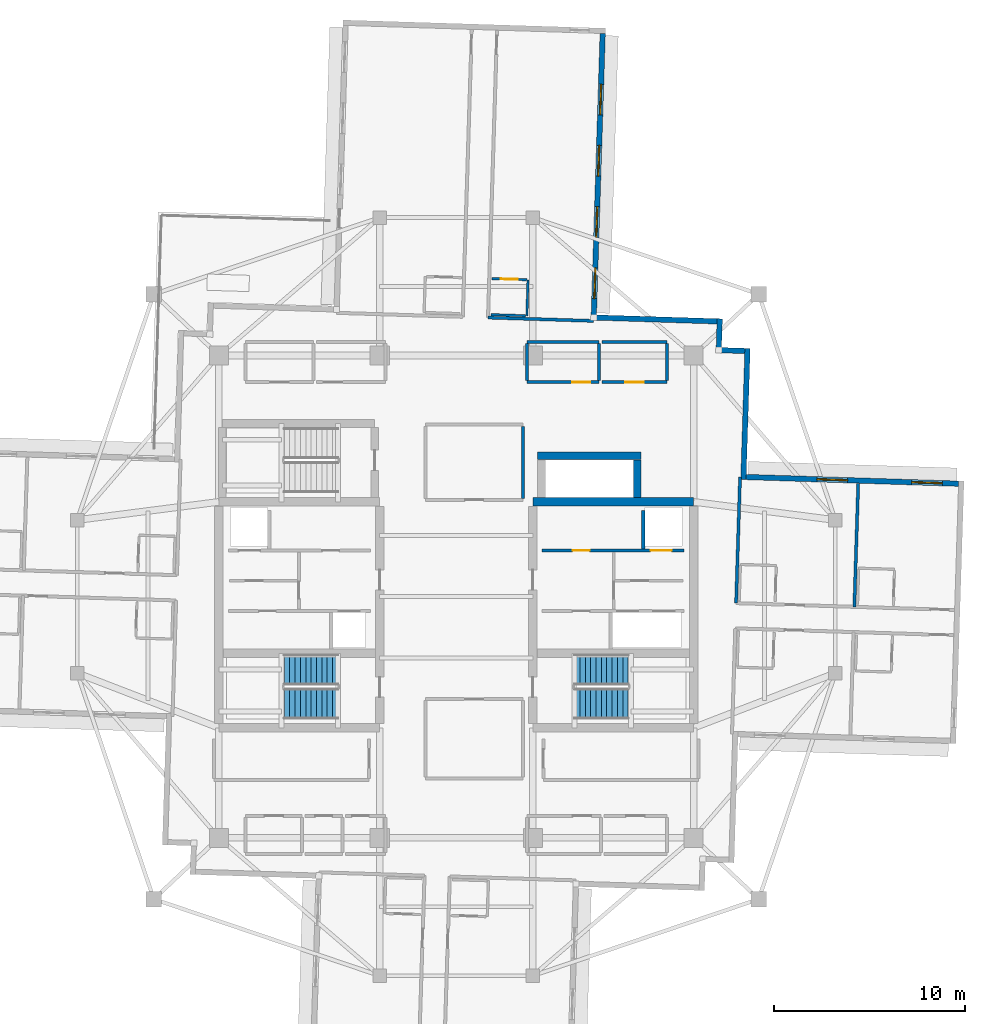
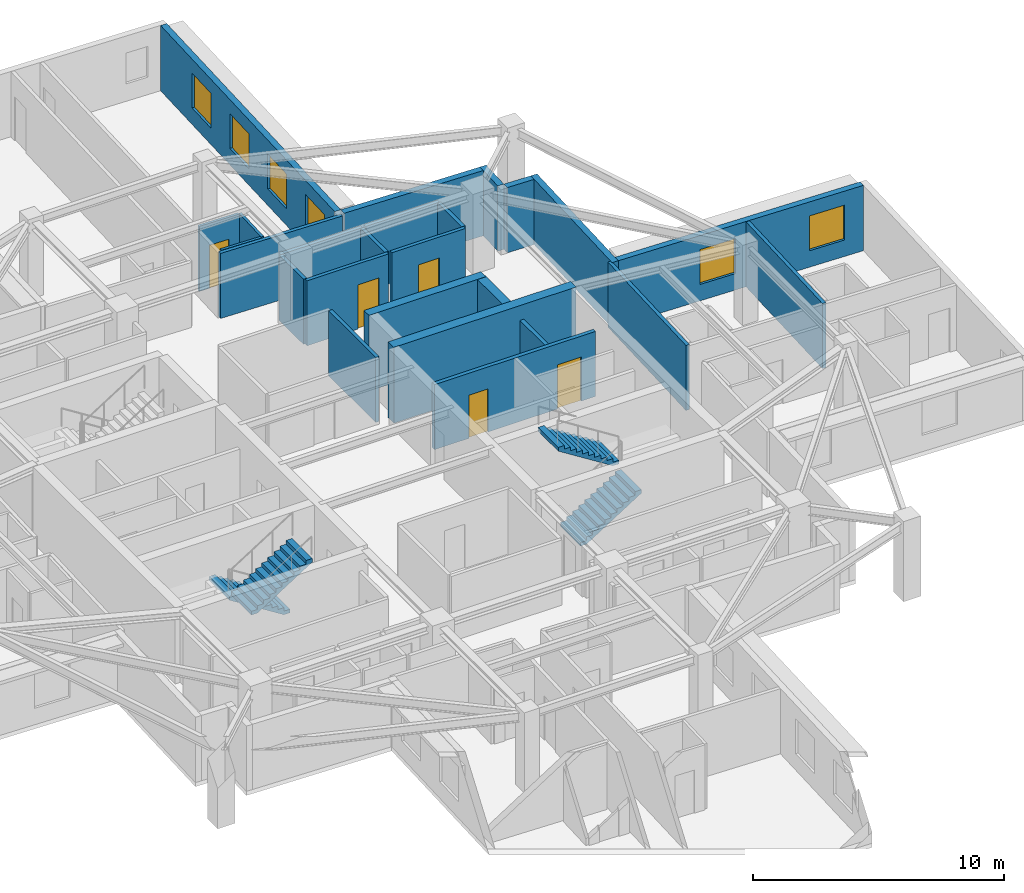
# One storey, part 8 of 13: 25 walls, 6 windows, 5 doors, 4 stair flights, 11 openings, 2 elements without a shape of their own.
"""IFC4 building model written with IfcOpenShell, lengths in metres."""

from ifc_helpers import new_model, si_unit, direction, frame, frame_2d, origin, place, context, subcontext, project, spatial, polyline, rectangle, outline, extrude, material, layer, layer_set, type_object, element, fill, aggregate, save


model = new_model("IFC4")

# Units and contexts
model_context = context("Model", 3, precision=1e-05, world=origin(), true_north=direction((0.0, 1.0)))
body_context = subcontext(model_context, "Body", "Model", "MODEL_VIEW")
ifc_project = project(units=[si_unit("LENGTHUNIT", "METRE"), si_unit("AREAUNIT", "SQUARE_METRE"), si_unit("VOLUMEUNIT", "CUBIC_METRE"), si_unit("PLANEANGLEUNIT", "RADIAN"), si_unit("MASSUNIT", "GRAM", prefix="KILO")], contexts=[model_context])

# Site, building, storey
site_placement = place(None, origin())
site = spatial("IfcSite", under=ifc_project, at=site_placement, CompositionType="ELEMENT")
building_placement = place(site_placement, origin())
building = spatial("IfcBuilding", under=site, at=building_placement, Name="Qingluan Cross Belvedere", CompositionType="ELEMENT")
storey_placement = place(building_placement, frame((0.0, 0.0, 257.699951171875)))
storey = spatial("IfcBuildingStorey", under=building, at=storey_placement, Name="L64", CompositionType="ELEMENT", Elevation=257.699951171875)

# Walls
ifc_material_1 = material(Name="Concrete C50", Category="concrete")
ifc_layer_1 = layer(ifc_material_1, 0.449951171875, Name="CoreShearWall_450")
ifc_layer_set_1 = layer_set([ifc_layer_1], Name="Concrete C50")
wall_type_1 = type_object("IfcWallType", Name="CoreShearWall_450", PredefinedType="SHEAR", material=ifc_layer_set_1)
wall_1_placement = place(storey_placement, frame((4.0, 4.949951171875, 0.0), z_axis=(0.0, 0.0, 1.0), x_axis=(1.0, 0.0, 0.0)))
element("IfcWall", 1, at=wall_1_placement, inside=storey, type_object=wall_type_1, Name="Split core E shear wall L64-N", PredefinedType="SHEAR", context=body_context, shape_type="SweptSolid", body=[
    extrude(rectangle(XDim=8.39990234375, YDim=0.449951171875, at=frame_2d((4.199951171875, 0.0))), origin(), (0.0, 0.0, 1.0), 3.699951171875),
])
wall_2_placement = place(storey_placement, frame((4.25, 7.35009765625, 0.0), z_axis=(0.0, 0.0, 1.0), x_axis=(1.0, 0.0, 0.0)))
element("IfcWall", 2, at=wall_2_placement, inside=storey, type_object=wall_type_1, Name="Express shuttle core wall L64-N", PredefinedType="SHEAR", context=body_context, shape_type="SweptSolid", body=[
    extrude(rectangle(XDim=5.39990234375, YDim=0.39990234375, at=frame_2d((2.699951171875, 0.0))), origin(), (0.0, 0.0, 1.0), 3.699951171875),
])
wall_3_placement = place(storey_placement, frame((9.449951171875, 5.179931640625, 0.0), z_axis=(0.0, 0.0, 1.0), x_axis=(0.0, 1.0, 0.0)))
element("IfcWall", 3, at=wall_3_placement, inside=storey, type_object=wall_type_1, Name="Express shuttle core wall L64-E", PredefinedType="SHEAR", context=body_context, shape_type="SweptSolid", body=[
    extrude(rectangle(XDim=1.9599609375, YDim=0.39990234375, at=frame_2d((0.97998046875, 0.0))), origin(), (0.0, 0.0, 1.0), 3.699951171875),
])

# Wall, opening, door
ifc_material_2 = material(Name="Gypsum plasterboard on steel stud acoustic partition", Category="steel")
ifc_layer_2 = layer(ifc_material_2, 0.159912109375, Name="CorridorPartition_160")
ifc_layer_set_2 = layer_set([ifc_layer_2], Name="Gypsum plasterboard on steel stud acoustic partition")
wall_type_2 = type_object("IfcWallType", Name="CorridorPartition_160", PredefinedType="PARTITIONING", material=ifc_layer_set_2)
wall_4_placement = place(storey_placement, frame((3.699951171875, 11.199951171875, 0.0), z_axis=(0.0, 0.0, 1.0), x_axis=(1.0, 0.0, 0.0)))
wall_4 = element("IfcWall", 4, at=wall_4_placement, inside=storey, type_object=wall_type_2, Name="Partition L64:q_ne1:S", PredefinedType="PARTITIONING", context=body_context, shape_type="SweptSolid", body=[
    extrude(rectangle(XDim=3.75, YDim=0.159912109375, at=frame_2d((1.875, 0.0))), origin(), (0.0, 0.0, 1.0), 3.170166015625),
])
opening_1_placement = place(wall_4_placement, frame((2.344970703125, 0.0, 0.0)))
opening_1 = element("IfcOpeningElement", 5, at=opening_1_placement, cuts=wall_4, Name="Opening GD-10", PredefinedType="OPENING", context=body_context, shape_type="SweptSolid", body=[
    extrude(rectangle(XDim=0.9599609375, YDim=2.14990234375, at=frame_2d((0.47998046875, 1.074951171875))), frame((0.0, 0.08984375, 0.0), z_axis=(0.0, -1.0, 0.0), x_axis=(1.0, 0.0, 0.0)), (0.0, 0.0, 1.0), 0.179931640625),
])
ifc_material_3 = material(Name="Timber oak fire-rated acoustic guestroom door", Category="wood")
door_type_1 = type_object("IfcDoorType", Name="GuestEntryDoor_FD60", OperationType="NOTDEFINED", PredefinedType="DOOR", material=ifc_material_3)
door_1_placement = place(opening_1_placement, origin())
door_1 = element("IfcDoor", 6, at=door_1_placement, inside=storey, type_object=door_type_1, Name="Cloud seminar hall L64 door", OperationType="SINGLE_SWING_RIGHT", OverallHeight=2.14990234375, OverallWidth=0.9599609375, PredefinedType="DOOR", context=body_context, shape_type="SweptSolid", body=[
    extrude(rectangle(XDim=0.9599609375, YDim=2.14990234375, at=frame_2d((0.47998046875, 1.074951171875))), frame((0.0, 0.02490234375, 0.0), z_axis=(0.0, -1.0, 0.0), x_axis=(1.0, 0.0, 0.0)), (0.0, 0.0, 1.0), 0.050048828125),
])
fill(opening_1, door_1)

# Walls
wall_5_placement = place(storey_placement, frame((3.699951171875, 13.300048828125, 0.0), z_axis=(0.0, 0.0, 1.0), x_axis=(1.0, 0.0, 0.0)))
element("IfcWall", 7, at=wall_5_placement, inside=storey, type_object=wall_type_2, Name="Partition L64:q_ne1:N", PredefinedType="PARTITIONING", context=body_context, shape_type="SweptSolid", body=[
    extrude(rectangle(XDim=3.75, YDim=0.159912109375, at=frame_2d((1.875, 0.0))), origin(), (0.0, 0.0, 1.0), 3.170166015625),
])
for number, where, z_axis, x_axis, name in (
    (8, (3.699951171875, 11.284912109375, 0.0), (0.0, 0.0, 1.0), (0.0, 1.0, 0.0), "Partition L64:q_ne1:W"),
    (9, (7.449951171875, 11.284912109375, 0.0), (0.0, 0.0, 1.0), (0.0, 1.0, 0.0), "Partition L64:q_ne1:E"),
):
    element("IfcWall", number, at=place(storey_placement, frame(where, z_axis=z_axis, x_axis=x_axis)), inside=storey, type_object=wall_type_2, Name=name, PredefinedType="PARTITIONING", context=body_context, shape_type="SweptSolid", body=[
        extrude(rectangle(XDim=1.93017578125, YDim=0.159912109375, at=frame_2d((0.965087890625, 0.0))), origin(), (0.0, 0.0, 1.0), 3.170166015625),
    ])

# Wall, opening, door
wall_6_placement = place(storey_placement, frame((7.610107421875, 11.199951171875, 0.0), z_axis=(0.0, 0.0, 1.0), x_axis=(1.0, 0.0, 0.0)))
wall_6 = element("IfcWall", 10, at=wall_6_placement, inside=storey, type_object=wall_type_2, Name="Partition L64:q_ne2:S", PredefinedType="PARTITIONING", context=body_context, shape_type="SweptSolid", body=[
    extrude(rectangle(XDim=3.389892578125, YDim=0.159912109375, at=frame_2d((1.69482421875, 0.0))), origin(), (0.0, 0.0, 1.0), 3.170166015625),
])
opening_2_placement = place(wall_6_placement, frame((1.215087890625, 0.0, 0.0)))
opening_2 = element("IfcOpeningElement", 11, at=opening_2_placement, cuts=wall_6, Name="Opening GD-10", PredefinedType="OPENING", context=body_context, shape_type="SweptSolid", body=[
    extrude(rectangle(XDim=0.9599609375, YDim=2.14990234375, at=frame_2d((0.47998046875, 1.074951171875))), frame((0.0, 0.08984375, 0.0), z_axis=(0.0, -1.0, 0.0), x_axis=(1.0, 0.0, 0.0)), (0.0, 0.0, 1.0), 0.179931640625),
])
door_2_placement = place(opening_2_placement, origin())
door_2 = element("IfcDoor", 12, at=door_2_placement, inside=storey, type_object=door_type_1, Name="Northeast tea salon L64 door", OperationType="SINGLE_SWING_LEFT", OverallHeight=2.14990234375, OverallWidth=0.9599609375, PredefinedType="DOOR", context=body_context, shape_type="SweptSolid", body=[
    extrude(rectangle(XDim=0.9599609375, YDim=2.14990234375, at=frame_2d((0.47998046875, 1.074951171875))), frame((0.0, 0.02490234375, 0.0), z_axis=(0.0, -1.0, 0.0), x_axis=(1.0, 0.0, 0.0)), (0.0, 0.0, 1.0), 0.050048828125),
])
fill(opening_2, door_2)

# Walls
wall_7_placement = place(storey_placement, frame((7.610107421875, 13.300048828125, 0.0), z_axis=(0.0, 0.0, 1.0), x_axis=(1.0, 0.0, 0.0)))
element("IfcWall", 13, at=wall_7_placement, inside=storey, type_object=wall_type_2, Name="Partition L64:q_ne2:N", PredefinedType="PARTITIONING", context=body_context, shape_type="SweptSolid", body=[
    extrude(rectangle(XDim=3.389892578125, YDim=0.159912109375, at=frame_2d((1.69482421875, 0.0))), origin(), (0.0, 0.0, 1.0), 3.170166015625),
])
wall_8_placement = place(storey_placement, frame((11.0, 11.284912109375, 0.0), z_axis=(0.0, 0.0, 1.0), x_axis=(0.0, 1.0, 0.0)))
element("IfcWall", 14, at=wall_8_placement, inside=storey, type_object=wall_type_2, Name="Partition L64:q_ne2:E", PredefinedType="PARTITIONING", context=body_context, shape_type="SweptSolid", body=[
    extrude(rectangle(XDim=1.93017578125, YDim=0.159912109375, at=frame_2d((0.965087890625, 0.0))), origin(), (0.0, 0.0, 1.0), 3.170166015625),
])
wall_9_placement = place(storey_placement, frame((3.47998046875, 5.135009765625, 0.0), z_axis=(0.0, 0.0, 1.0), x_axis=(0.0, 1.0, 0.0)))
element("IfcWall", 15, at=wall_9_placement, inside=storey, type_object=wall_type_2, Name="Partition L64:sky_tea_alcove:E", PredefinedType="PARTITIONING", context=body_context, shape_type="SweptSolid", body=[
    extrude(rectangle(XDim=3.760009765625, YDim=0.159912109375, at=frame_2d((1.8798828125, 0.0))), origin(), (0.0, 0.0, 1.0), 3.170166015625),
])
wall_10_placement = place(storey_placement, frame((14.61669921875, -0.33935546875, 0.0), z_axis=(0.0, 0.0, 1.0), x_axis=(0.031404508956, 0.999506756764, 0.0)))
element("IfcWall", 16, at=wall_10_placement, inside=storey, type_object=wall_type_2, Name="Partition L64:E:s0", PredefinedType="PARTITIONING", context=body_context, shape_type="SweptSolid", body=[
    extrude(rectangle(XDim=6.60009765625, YDim=0.159912109375, at=frame_2d((3.300048828125, 0.0))), origin(), (0.0, 0.0, 1.0), 3.170166015625),
])
wall_11_placement = place(storey_placement, frame((20.79345703125, -0.533447265625, 0.0), z_axis=(0.0, 0.0, 1.0), x_axis=(0.031407228636, 0.999506671308, 0.0)))
element("IfcWall", 17, at=wall_11_placement, inside=storey, type_object=wall_type_2, Name="Partition L64:E:d0_0", PredefinedType="PARTITIONING", context=body_context, shape_type="SweptSolid", body=[
    extrude(rectangle(XDim=6.451904296875, YDim=0.159912109375, at=frame_2d((3.22607421875, 0.0))), origin(), (0.0, 0.0, 1.0), 3.170166015625),
])
wall_12_placement = place(storey_placement, frame((1.65869140625, 14.5751953125, 0.0), z_axis=(0.0, 0.0, 1.0), x_axis=(0.999505408206, -0.031447400002, 0.0)))
element("IfcWall", 18, at=wall_12_placement, inside=storey, type_object=wall_type_2, Name="Partition L64:N:s0", PredefinedType="PARTITIONING", context=body_context, shape_type="SweptSolid", body=[
    extrude(rectangle(XDim=5.519775390625, YDim=0.159912109375, at=frame_2d((2.759765625, 0.0))), origin(), (0.0, 0.0, 1.0), 3.170166015625),
])

# Wall, opening, door
ifc_material_4 = material(Name="Moisture-resistant gypsum board lining")
ifc_layer_3 = layer(ifc_material_4, 0.1201171875, Name="EnsuiteWetPartition_120")
ifc_layer_set_3 = layer_set([ifc_layer_3], Name="Moisture-resistant gypsum board lining")
wall_type_3 = type_object("IfcWallType", Name="EnsuiteWetPartition_120", PredefinedType="PARTITIONING", material=ifc_layer_set_3)
wall_13_placement = place(storey_placement, frame((1.862548828125, 16.609619140625, 0.0), z_axis=(0.0, 0.0, 1.0), x_axis=(0.999507221803, -0.031389704724, 0.0)))
wall_13 = element("IfcWall", 19, at=wall_13_placement, inside=storey, type_object=wall_type_3, Name="Partition L64:N:bs0_0", PredefinedType="PARTITIONING", context=body_context, shape_type="SweptSolid", body=[
    extrude(rectangle(XDim=1.820068359375, YDim=0.1201171875, at=frame_2d((0.91015625, 0.0))), origin(), (0.0, 0.0, 1.0), 3.170166015625),
])
opening_3_placement = place(wall_13_placement, frame((0.469970703125, 0.0, 0.0)))
opening_3 = element("IfcOpeningElement", 20, at=opening_3_placement, cuts=wall_13, Name="Opening BD-09", PredefinedType="OPENING", context=body_context, shape_type="SweptSolid", body=[
    extrude(rectangle(XDim=0.8798828125, YDim=2.10009765625, at=frame_2d((0.43994140625, 1.050048828125))), frame((0.0, 0.070068359375, 0.0), z_axis=(0.0, -1.0, 0.0), x_axis=(1.0, 0.0, 0.0)), (0.0, 0.0, 1.0), 0.14013671875),
])
ifc_material_5 = material(Name="Moisture-sealed timber en-suite door", Category="wood")
door_type_2 = type_object("IfcDoorType", Name="BathroomDoor_880", OperationType="NOTDEFINED", PredefinedType="DOOR", material=ifc_material_5)
door_3_placement = place(opening_3_placement, origin())
door_3 = element("IfcDoor", 21, at=door_3_placement, inside=storey, type_object=door_type_2, Name="Bathroom door 6409", OperationType="SINGLE_SWING_RIGHT", OverallHeight=2.10009765625, OverallWidth=0.8798828125, PredefinedType="DOOR", context=body_context, shape_type="SweptSolid", body=[
    extrude(rectangle(XDim=0.8798828125, YDim=2.10009765625, at=frame_2d((0.43994140625, 1.050048828125))), frame((0.0, 0.02490234375, 0.0), z_axis=(0.0, -1.0, 0.0), x_axis=(1.0, 0.0, 0.0)), (0.0, 0.0, 1.0), 0.050048828125),
])
fill(opening_3, door_3)

# Walls
wall_14_placement = place(storey_placement, frame((1.8037109375, 14.730712890625, 0.0), z_axis=(0.0, 0.0, 1.0), x_axis=(0.999503004171, -0.03152371574, 0.0)))
element("IfcWall", 22, at=wall_14_placement, inside=storey, type_object=wall_type_3, Name="Partition L64:N:bw0_0", PredefinedType="PARTITIONING", context=body_context, shape_type="SweptSolid", body=[
    extrude(rectangle(XDim=1.820068359375, YDim=0.1201171875, at=frame_2d((0.91015625, 0.0))), origin(), (0.0, 0.0, 1.0), 3.170166015625),
])
wall_15_placement = place(storey_placement, frame((3.687744140625, 14.67138671875, 0.0), z_axis=(0.0, 0.0, 1.0), x_axis=(0.031295563454, 0.999510173889, 0.0)))
element("IfcWall", 23, at=wall_15_placement, inside=storey, type_object=wall_type_3, Name="Partition L64:N:bn0_0", PredefinedType="PARTITIONING", context=body_context, shape_type="SweptSolid", body=[
    extrude(rectangle(XDim=1.880126953125, YDim=0.1201171875, at=frame_2d((0.93994140625, 0.0))), origin(), (0.0, 0.0, 1.0), 3.170166015625),
])

# Wall, openings, windows
ifc_material_6 = material(Name="Precast concrete C45", Category="concrete")
ifc_layer_4 = layer(ifc_material_6, 0.280029296875, Name="PrecastFacadeWall_280")
ifc_layer_set_4 = layer_set([ifc_layer_4], Name="Precast concrete C45")
wall_type_4 = type_object("IfcWallType", Name="PrecastFacadeWall_280", PredefinedType="STANDARD", material=ifc_layer_set_4)
wall_16_placement = place(storey_placement, frame((26.23828125, 5.898681640625, 0.0), z_axis=(0.0, 0.0, 1.0), x_axis=(-0.999506632046, 0.031408478106, 0.0)))
wall_16 = element("IfcWall", 24, at=wall_16_placement, inside=storey, type_object=wall_type_4, Name="Facade wall L64-EB", PredefinedType="STANDARD", context=body_context, shape_type="SweptSolid", body=[
    extrude(rectangle(XDim=11.099853515625, YDim=0.280029296875, at=frame_2d((5.5498046875, 0.0))), origin(), (0.0, 0.0, 1.0), 3.179931640625),
])
opening_4_placement = place(wall_16_placement, frame((0.85009765625, 0.0, 0.800048828125)))
opening_4 = element("IfcOpeningElement", 25, at=opening_4_placement, cuts=wall_16, Name="Opening W-04", PredefinedType="OPENING", context=body_context, shape_type="SweptSolid", body=[
    extrude(rectangle(XDim=1.60009765625, YDim=1.699951171875, at=frame_2d((0.800048828125, 0.85009765625))), frame((0.0, 0.14990234375, 0.0), z_axis=(0.0, -1.0, 0.0), x_axis=(1.0, 0.0, 0.0)), (0.0, 0.0, 1.0), 0.300048828125),
])
opening_5_placement = place(wall_16_placement, frame((5.800048828125, 0.0, 0.800048828125)))
opening_5 = element("IfcOpeningElement", 26, at=opening_5_placement, cuts=wall_16, Name="Opening W-04", PredefinedType="OPENING", context=body_context, shape_type="SweptSolid", body=[
    extrude(rectangle(XDim=1.60009765625, YDim=1.699951171875, at=frame_2d((0.800048828125, 0.85009765625))), frame((0.0, 0.14990234375, 0.0), z_axis=(0.0, -1.0, 0.0), x_axis=(1.0, 0.0, 0.0)), (0.0, 0.0, 1.0), 0.300048828125),
])
ifc_material_7 = material(Name="Thermally broken triple Low-E glass in aluminium frame", Category="aluminium")
window_type = type_object("IfcWindowType", Name="SuiteCornerWin_1600x1700", PartitioningType="SINGLE_PANEL", PredefinedType="WINDOW", material=ifc_material_7)
window_1_placement = place(opening_4_placement, origin())
window_1 = element("IfcWindow", 27, at=window_1_placement, inside=storey, type_object=window_type, Name="Ribbon window L64-EB-1", OverallHeight=1.699951171875, OverallWidth=1.60009765625, PartitioningType="SINGLE_PANEL", PredefinedType="WINDOW", context=body_context, shape_type="SweptSolid", body=[
    extrude(rectangle(XDim=1.60009765625, YDim=1.699951171875, at=frame_2d((0.800048828125, 0.85009765625))), frame((0.0, 0.030029296875, 0.0), z_axis=(0.0, -1.0, 0.0), x_axis=(1.0, 0.0, 0.0)), (0.0, 0.0, 1.0), 0.06005859375),
])
fill(opening_4, window_1)
window_2_placement = place(opening_5_placement, origin())
window_2 = element("IfcWindow", 28, at=window_2_placement, inside=storey, type_object=window_type, Name="Ribbon window L64-EB-2", OverallHeight=1.699951171875, OverallWidth=1.60009765625, PartitioningType="SINGLE_PANEL", PredefinedType="WINDOW", context=body_context, shape_type="SweptSolid", body=[
    extrude(rectangle(XDim=1.60009765625, YDim=1.699951171875, at=frame_2d((0.800048828125, 0.85009765625))), frame((0.0, 0.030029296875, 0.0), z_axis=(0.0, -1.0, 0.0), x_axis=(1.0, 0.0, 0.0)), (0.0, 0.0, 1.0), 0.06005859375),
])
fill(opening_5, window_2)

wall_17_placement = place(storey_placement, frame((7.18603515625, 14.721435546875, 0.0), z_axis=(0.0, 0.0, 1.0), x_axis=(0.031405855522, 0.999506714454, 0.0)))
wall_17 = element("IfcWall", 29, at=wall_17_placement, inside=storey, type_object=wall_type_4, Name="Facade wall L64-NA", PredefinedType="STANDARD", context=body_context, shape_type="SweptSolid", body=[
    extrude(rectangle(XDim=14.7001953125, YDim=0.280029296875, at=frame_2d((7.35009765625, 0.0))), origin(), (0.0, 0.0, 1.0), 3.179931640625),
])
opening_6_placement = place(wall_17_placement, frame((0.85009765625, 0.0, 0.800048828125)))
opening_6 = element("IfcOpeningElement", 30, at=opening_6_placement, cuts=wall_17, Name="Opening W-04", PredefinedType="OPENING", context=body_context, shape_type="SweptSolid", body=[
    extrude(rectangle(XDim=1.60009765625, YDim=1.699951171875, at=frame_2d((0.800048828125, 0.85009765625))), frame((0.0, 0.14990234375, 0.0), z_axis=(0.0, -1.0, 0.0), x_axis=(1.0, 0.0, 0.0)), (0.0, 0.0, 1.0), 0.300048828125),
])
opening_7_placement = place(wall_17_placement, frame((4.050048828125, 0.0, 0.800048828125)))
opening_7 = element("IfcOpeningElement", 31, at=opening_7_placement, cuts=wall_17, Name="Opening W-04", PredefinedType="OPENING", context=body_context, shape_type="SweptSolid", body=[
    extrude(rectangle(XDim=1.60009765625, YDim=1.699951171875, at=frame_2d((0.800048828125, 0.85009765625))), frame((0.0, 0.14990234375, 0.0), z_axis=(0.0, -1.0, 0.0), x_axis=(1.0, 0.0, 0.0)), (0.0, 0.0, 1.0), 0.300048828125),
])
opening_8_placement = place(wall_17_placement, frame((7.25, 0.0, 0.800048828125)))
opening_8 = element("IfcOpeningElement", 32, at=opening_8_placement, cuts=wall_17, Name="Opening W-04", PredefinedType="OPENING", context=body_context, shape_type="SweptSolid", body=[
    extrude(rectangle(XDim=1.60009765625, YDim=1.699951171875, at=frame_2d((0.800048828125, 0.85009765625))), frame((0.0, 0.14990234375, 0.0), z_axis=(0.0, -1.0, 0.0), x_axis=(1.0, 0.0, 0.0)), (0.0, 0.0, 1.0), 0.300048828125),
])
opening_9_placement = place(wall_17_placement, frame((10.449951171875, 0.0, 0.800048828125)))
opening_9 = element("IfcOpeningElement", 33, at=opening_9_placement, cuts=wall_17, Name="Opening W-04", PredefinedType="OPENING", context=body_context, shape_type="SweptSolid", body=[
    extrude(rectangle(XDim=1.60009765625, YDim=1.699951171875, at=frame_2d((0.800048828125, 0.85009765625))), frame((0.0, 0.14990234375, 0.0), z_axis=(0.0, -1.0, 0.0), x_axis=(1.0, 0.0, 0.0)), (0.0, 0.0, 1.0), 0.300048828125),
])
window_3_placement = place(opening_6_placement, origin())
window_3 = element("IfcWindow", 34, at=window_3_placement, inside=storey, type_object=window_type, Name="Ribbon window L64-NA-1", OverallHeight=1.699951171875, OverallWidth=1.60009765625, PartitioningType="SINGLE_PANEL", PredefinedType="WINDOW", context=body_context, shape_type="SweptSolid", body=[
    extrude(rectangle(XDim=1.60009765625, YDim=1.699951171875, at=frame_2d((0.800048828125, 0.85009765625))), frame((0.0, 0.030029296875, 0.0), z_axis=(0.0, -1.0, 0.0), x_axis=(1.0, 0.0, 0.0)), (0.0, 0.0, 1.0), 0.06005859375),
])
fill(opening_6, window_3)
window_4_placement = place(opening_7_placement, origin())
window_4 = element("IfcWindow", 35, at=window_4_placement, inside=storey, type_object=window_type, Name="Ribbon window L64-NA-2", OverallHeight=1.699951171875, OverallWidth=1.60009765625, PartitioningType="SINGLE_PANEL", PredefinedType="WINDOW", context=body_context, shape_type="SweptSolid", body=[
    extrude(rectangle(XDim=1.60009765625, YDim=1.699951171875, at=frame_2d((0.800048828125, 0.85009765625))), frame((0.0, 0.030029296875, 0.0), z_axis=(0.0, -1.0, 0.0), x_axis=(1.0, 0.0, 0.0)), (0.0, 0.0, 1.0), 0.06005859375),
])
fill(opening_7, window_4)
window_5_placement = place(opening_8_placement, origin())
window_5 = element("IfcWindow", 36, at=window_5_placement, inside=storey, type_object=window_type, Name="Ribbon window L64-NA-3", OverallHeight=1.699951171875, OverallWidth=1.60009765625, PartitioningType="SINGLE_PANEL", PredefinedType="WINDOW", context=body_context, shape_type="SweptSolid", body=[
    extrude(rectangle(XDim=1.60009765625, YDim=1.699951171875, at=frame_2d((0.800048828125, 0.85009765625))), frame((0.0, 0.030029296875, 0.0), z_axis=(0.0, -1.0, 0.0), x_axis=(1.0, 0.0, 0.0)), (0.0, 0.0, 1.0), 0.06005859375),
])
fill(opening_8, window_5)
window_6_placement = place(opening_9_placement, origin())
window_6 = element("IfcWindow", 37, at=window_6_placement, inside=storey, type_object=window_type, Name="Ribbon window L64-NA-4", OverallHeight=1.699951171875, OverallWidth=1.60009765625, PartitioningType="SINGLE_PANEL", PredefinedType="WINDOW", context=body_context, shape_type="SweptSolid", body=[
    extrude(rectangle(XDim=1.60009765625, YDim=1.699951171875, at=frame_2d((0.800048828125, 0.85009765625))), frame((0.0, 0.030029296875, 0.0), z_axis=(0.0, -1.0, 0.0), x_axis=(1.0, 0.0, 0.0)), (0.0, 0.0, 1.0), 0.06005859375),
])
fill(opening_9, window_6)

# Walls
wall_18_placement = place(storey_placement, frame((14.99951171875, 6.11181640625, 0.0), z_axis=(0.0, 0.0, 1.0), x_axis=(0.031389189386, 0.999507237988, 0.0)))
element("IfcWall", 38, at=wall_18_placement, inside=storey, type_object=wall_type_4, Name="Corner wall L64-NE1", PredefinedType="STANDARD", context=body_context, shape_type="SweptSolid", body=[
    extrude(rectangle(XDim=6.860107421875, YDim=0.280029296875, at=frame_2d((3.43017578125, 0.0))), origin(), (0.0, 0.0, 1.0), 3.179931640625),
])
wall_19_placement = place(storey_placement, frame((15.070556640625, 12.8330078125, 0.0), z_axis=(0.0, 0.0, 1.0), x_axis=(-0.999506398264, 0.031415916822, 0.0)))
element("IfcWall", 39, at=wall_19_placement, inside=storey, type_object=wall_type_4, Name="Corner wall L64-NE2", PredefinedType="STANDARD", context=body_context, shape_type="SweptSolid", body=[
    extrude(rectangle(XDim=1.219970703125, YDim=0.280029296875, at=frame_2d((0.60986328125, 0.0))), origin(), (0.0, 0.0, 1.0), 3.179931640625),
])
wall_20_placement = place(storey_placement, frame((13.715576171875, 13.015625, 0.0), z_axis=(0.0, 0.0, 1.0), x_axis=(0.031412596484, 0.999506502621, 0.0)))
element("IfcWall", 40, at=wall_20_placement, inside=storey, type_object=wall_type_4, Name="Corner wall L64-NE3", PredefinedType="STANDARD", context=body_context, shape_type="SweptSolid", body=[
    extrude(rectangle(XDim=1.5, YDim=0.280029296875, at=frame_2d((0.75, 0.0))), origin(), (0.0, 0.0, 1.0), 3.179931640625),
])
wall_21_placement = place(storey_placement, frame((13.618408203125, 14.37939453125, 0.0), z_axis=(0.0, 0.0, 1.0), x_axis=(-0.999507224741, 0.031389611199, 0.0)))
element("IfcWall", 41, at=wall_21_placement, inside=storey, type_object=wall_type_4, Name="Corner wall L64-NE4", PredefinedType="STANDARD", context=body_context, shape_type="SweptSolid", body=[
    extrude(rectangle(XDim=6.300048828125, YDim=0.280029296875, at=frame_2d((3.14990234375, 0.0))), origin(), (0.0, 0.0, 1.0), 3.179931640625),
])

# Wall, openings, doors
ifc_material_8 = material(Name="Concrete C40", Category="concrete")
ifc_layer_5 = layer(ifc_material_8, 0.219970703125, Name="ShaftEnclosureWall_250")
ifc_layer_set_5 = layer_set([ifc_layer_5], Name="Concrete C40")
wall_type_5 = type_object("IfcWallType", Name="ShaftEnclosureWall_250", PredefinedType="SOLIDWALL", material=ifc_layer_set_5)
wall_22_placement = place(storey_placement, frame((4.47998046875, 2.409912109375, 0.0), z_axis=(0.0, 0.0, 1.0), x_axis=(1.0, 0.0, 0.0)))
wall_22 = element("IfcWall", 42, at=wall_22_placement, inside=storey, type_object=wall_type_5, Name="Core-E north hoistway wall L64", PredefinedType="SOLIDWALL", context=body_context, shape_type="SweptSolid", body=[
    extrude(rectangle(XDim=7.419921875, YDim=0.179931640625, at=frame_2d((3.7099609375, 0.0))), origin(), (0.0, 0.0, 1.0), 3.170166015625),
])
opening_10_placement = place(wall_22_placement, frame((5.669921875, 0.0, 0.0)))
opening_10 = element("IfcOpeningElement", 43, at=opening_10_placement, cuts=wall_22, Name="Opening LD-11", PredefinedType="OPENING", context=body_context, shape_type="SweptSolid", body=[
    extrude(rectangle(XDim=1.10009765625, YDim=2.14990234375, at=frame_2d((0.550048828125, 1.074951171875))), frame((0.0, 0.099853515625, 0.0), z_axis=(0.0, -1.0, 0.0), x_axis=(1.0, 0.0, 0.0)), (0.0, 0.0, 1.0), 0.199951171875),
])
opening_11_placement = place(wall_22_placement, frame((1.60009765625, 0.0, 0.0)))
opening_11 = element("IfcOpeningElement", 44, at=opening_11_placement, cuts=wall_22, Name="Opening FD-B10", PredefinedType="OPENING", context=body_context, shape_type="SweptSolid", body=[
    extrude(rectangle(XDim=0.8798828125, YDim=2.10009765625, at=frame_2d((0.43994140625, 1.050048828125))), frame((0.0, 0.099853515625, 0.0), z_axis=(0.0, -1.0, 0.0), x_axis=(1.0, 0.0, 0.0)), (0.0, 0.0, 1.0), 0.199951171875),
])
ifc_material_9 = material(Name="Brushed stainless steel centre-opening lift landing door", Category="steel")
door_type_3 = type_object("IfcDoorType", Name="LiftLandingSlidingDoor_1100", OperationType="DOUBLE_DOOR_SLIDING", PredefinedType="DOOR", material=ifc_material_9)
door_4_placement = place(opening_10_placement, origin())
door_4 = element("IfcDoor", 45, at=door_4_placement, inside=storey, type_object=door_type_3, Name="Lift landing sliding door FL2 L64", OperationType="DOUBLE_DOOR_SLIDING", OverallHeight=2.14990234375, OverallWidth=1.10009765625, PredefinedType="DOOR", context=body_context, shape_type="SweptSolid", body=[
    extrude(rectangle(XDim=1.10009765625, YDim=2.14990234375, at=frame_2d((0.550048828125, 1.074951171875))), frame((0.0, 0.02490234375, 0.0), z_axis=(0.0, -1.0, 0.0), x_axis=(1.0, 0.0, 0.0)), (0.0, 0.0, 1.0), 0.050048828125),
])
fill(opening_10, door_4)
ifc_material_10 = material(Name="Steel Class B service fire door", Category="steel")
door_type_4 = type_object("IfcDoorType", Name="RiserServiceFireDoor_FDB", OperationType="NOTDEFINED", PredefinedType="DOOR", material=ifc_material_10)
door_5_placement = place(opening_11_placement, origin())
door_5 = element("IfcDoor", 46, at=door_5_placement, inside=storey, type_object=door_type_4, Name="Pantry room door E L64", OperationType="SINGLE_SWING_RIGHT", OverallHeight=2.10009765625, OverallWidth=0.8798828125, PredefinedType="DOOR", context=body_context, shape_type="SweptSolid", body=[
    extrude(rectangle(XDim=0.8798828125, YDim=2.10009765625, at=frame_2d((0.43994140625, 1.050048828125))), frame((0.0, 0.02490234375, 0.0), z_axis=(0.0, -1.0, 0.0), x_axis=(1.0, 0.0, 0.0)), (0.0, 0.0, 1.0), 0.050048828125),
])
fill(opening_11, door_5)

# Wall
wall_23_placement = place(storey_placement, frame((9.760009765625, 2.5, 0.0), z_axis=(0.0, 0.0, 1.0), x_axis=(0.0, 1.0, 0.0)))
element("IfcWall", 47, at=wall_23_placement, inside=storey, type_object=wall_type_5, Name="Hoistway enclosure divider FL2W L64", PredefinedType="SOLIDWALL", context=body_context, shape_type="SweptSolid", body=[
    extrude(rectangle(XDim=1.989990234375, YDim=0.179931640625, at=frame_2d((0.9951171875, 0.0))), origin(), (0.0, 0.0, 1.0), 3.170166015625),
])

# Stair, stair flights
ifc_material_11 = material(Name="Concrete C40", Category="concrete")
stair_type = type_object("IfcStairType", Name="CoreDoglegStair_1620", PredefinedType="HALF_TURN_STAIR", material=ifc_material_11)
stair_1_placement = place(storey_placement, origin())
stair_1 = element("IfcStair", 48, at=stair_1_placement, inside=storey, type_object=stair_type, Name="L64 ST1", PredefinedType="HALF_TURN_STAIR")
ifc_material_12 = material(Name="Concrete C40", Category="concrete")
ifc_layer_6 = layer(ifc_material_12, 0.179931640625, Name="StairFlight_RC180")
ifc_layer_set_6 = layer_set([ifc_layer_6], Name="Concrete C40")
stair_flight_type = type_object("IfcStairFlightType", Name="StairFlight_RC180", PredefinedType="STRAIGHT", material=ifc_layer_set_6)
stair_flight_1_placement = place(storey_placement, frame((-6.179931640625, -3.81005859375, 0.0), z_axis=(0.0, 0.0, 1.0), x_axis=(-1.0, 0.0, 0.0)))
stair_flight_1 = element("IfcStairFlight", 49, at=stair_flight_1_placement, type_object=stair_flight_type, Name="ST1 flight 1", NumberOfRisers=11, NumberOfTreads=10, PredefinedType="STRAIGHT", RiserHeight=0.177272727, TreadLength=0.28, context=body_context, shape_type="SweptSolid", body=[
    extrude(outline(polyline([(0.0, 0.0), (0.0, 0.17724609375), (0.280029296875, 0.17724609375), (0.280029296875, 0.3544921875), (0.56005859375, 0.3544921875), (0.56005859375, 0.53173828125), (0.840087890625, 0.53173828125), (0.840087890625, 0.708984375), (1.1201171875, 0.708984375), (1.1201171875, 0.886474609375), (1.39990234375, 0.886474609375), (1.39990234375, 1.063720703125), (1.679931640625, 1.063720703125), (1.679931640625, 1.240966796875), (1.9599609375, 1.240966796875), (1.9599609375, 1.418212890625), (2.239990234375, 1.418212890625), (2.239990234375, 1.595458984375), (2.52001953125, 1.595458984375), (2.52001953125, 1.772705078125), (2.800048828125, 1.772705078125), (2.800048828125, 1.949951171875), (2.800048828125, 1.59521484375), (0.2802734375, 0.0), (0.0, 0.0)])), frame((0.0, 0.81005859375, 0.0), z_axis=(0.0, -1.0, 0.0), x_axis=(1.0, 0.0, 0.0)), (0.0, 0.0, 1.0), 1.6201171875),
])
stair_flight_2_placement = place(storey_placement, frame((-8.97998046875, -5.590087890625, 1.949951171875), z_axis=(0.0, 0.0, 1.0), x_axis=(1.0, 0.0, 0.0)))
stair_flight_2 = element("IfcStairFlight", 50, at=stair_flight_2_placement, type_object=stair_flight_type, Name="ST1 flight 2", NumberOfRisers=11, NumberOfTreads=10, PredefinedType="STRAIGHT", RiserHeight=0.177272727, TreadLength=0.28, context=body_context, shape_type="SweptSolid", body=[
    extrude(outline(polyline([(0.0, 0.0), (0.0, 0.17724609375), (0.280029296875, 0.17724609375), (0.280029296875, 0.3544921875), (0.56005859375, 0.3544921875), (0.56005859375, 0.53173828125), (0.840087890625, 0.53173828125), (0.840087890625, 0.708984375), (1.1201171875, 0.708984375), (1.1201171875, 0.886474609375), (1.39990234375, 0.886474609375), (1.39990234375, 1.063720703125), (1.679931640625, 1.063720703125), (1.679931640625, 1.240966796875), (1.9599609375, 1.240966796875), (1.9599609375, 1.418212890625), (2.239990234375, 1.418212890625), (2.239990234375, 1.595458984375), (2.52001953125, 1.595458984375), (2.52001953125, 1.772705078125), (2.800048828125, 1.772705078125), (2.800048828125, 1.949951171875), (2.800048828125, 1.59521484375), (0.2802734375, 0.0), (0.0, 0.0)])), frame((0.0, 0.81005859375, 0.0), z_axis=(0.0, -1.0, 0.0), x_axis=(1.0, 0.0, 0.0)), (0.0, 0.0, 1.0), 1.6201171875),
])
aggregate(stair_1, [stair_flight_1, stair_flight_2])

stair_2_placement = place(storey_placement, origin())
stair_2 = element("IfcStair", 51, at=stair_2_placement, inside=storey, type_object=stair_type, Name="L64 ST2", PredefinedType="HALF_TURN_STAIR")
stair_flight_3_placement = place(storey_placement, frame((6.179931640625, -5.590087890625, 0.0), z_axis=(0.0, 0.0, 1.0), x_axis=(1.0, 0.0, 0.0)))
stair_flight_3 = element("IfcStairFlight", 52, at=stair_flight_3_placement, type_object=stair_flight_type, Name="ST2 flight 1", NumberOfRisers=11, NumberOfTreads=10, PredefinedType="STRAIGHT", RiserHeight=0.177272727, TreadLength=0.28, context=body_context, shape_type="SweptSolid", body=[
    extrude(outline(polyline([(0.0, 0.0), (0.0, 0.17724609375), (0.280029296875, 0.17724609375), (0.280029296875, 0.3544921875), (0.56005859375, 0.3544921875), (0.56005859375, 0.53173828125), (0.840087890625, 0.53173828125), (0.840087890625, 0.708984375), (1.1201171875, 0.708984375), (1.1201171875, 0.886474609375), (1.39990234375, 0.886474609375), (1.39990234375, 1.063720703125), (1.679931640625, 1.063720703125), (1.679931640625, 1.240966796875), (1.9599609375, 1.240966796875), (1.9599609375, 1.418212890625), (2.239990234375, 1.418212890625), (2.239990234375, 1.595458984375), (2.52001953125, 1.595458984375), (2.52001953125, 1.772705078125), (2.800048828125, 1.772705078125), (2.800048828125, 1.949951171875), (2.800048828125, 1.59521484375), (0.2802734375, 0.0), (0.0, 0.0)])), frame((0.0, 0.81005859375, 0.0), z_axis=(0.0, -1.0, 0.0), x_axis=(1.0, 0.0, 0.0)), (0.0, 0.0, 1.0), 1.6201171875),
])
stair_flight_4_placement = place(storey_placement, frame((8.97998046875, -3.81005859375, 1.949951171875), z_axis=(0.0, 0.0, 1.0), x_axis=(-1.0, 0.0, 0.0)))
stair_flight_4 = element("IfcStairFlight", 53, at=stair_flight_4_placement, type_object=stair_flight_type, Name="ST2 flight 2", NumberOfRisers=11, NumberOfTreads=10, PredefinedType="STRAIGHT", RiserHeight=0.177272727, TreadLength=0.28, context=body_context, shape_type="SweptSolid", body=[
    extrude(outline(polyline([(0.0, 0.0), (0.0, 0.17724609375), (0.280029296875, 0.17724609375), (0.280029296875, 0.3544921875), (0.56005859375, 0.3544921875), (0.56005859375, 0.53173828125), (0.840087890625, 0.53173828125), (0.840087890625, 0.708984375), (1.1201171875, 0.708984375), (1.1201171875, 0.886474609375), (1.39990234375, 0.886474609375), (1.39990234375, 1.063720703125), (1.679931640625, 1.063720703125), (1.679931640625, 1.240966796875), (1.9599609375, 1.240966796875), (1.9599609375, 1.418212890625), (2.239990234375, 1.418212890625), (2.239990234375, 1.595458984375), (2.52001953125, 1.595458984375), (2.52001953125, 1.772705078125), (2.800048828125, 1.772705078125), (2.800048828125, 1.949951171875), (2.800048828125, 1.59521484375), (0.2802734375, 0.0), (0.0, 0.0)])), frame((0.0, 0.81005859375, 0.0), z_axis=(0.0, -1.0, 0.0), x_axis=(1.0, 0.0, 0.0)), (0.0, 0.0, 1.0), 1.6201171875),
])
aggregate(stair_2, [stair_flight_3, stair_flight_4])

save(model, "model.ifc")
